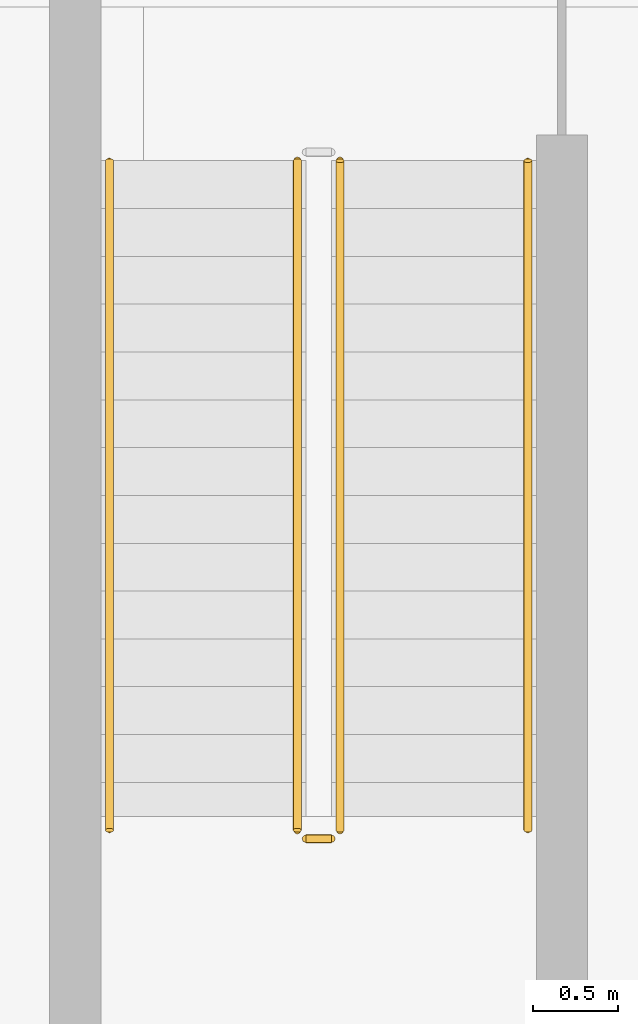
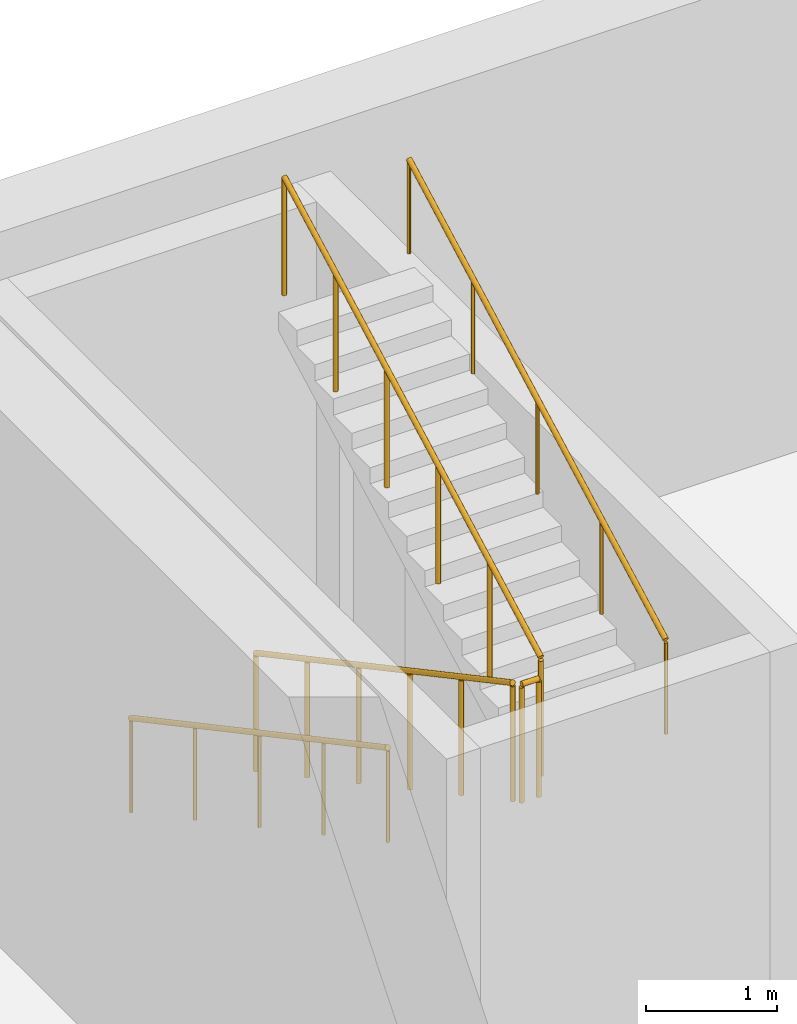
# One storey, part 19 of 23: 5 railings.
"""IFC4 building model written with IfcOpenShell, lengths in metres."""

from ifc_helpers import new_model, si_unit, direction, frame, origin, origin_2d, place, context, subcontext, project, spatial, circle, extrude, material, type_object, element, save


model = new_model("IFC4")

# Units and contexts
model_context = context("Model", 3, precision=1e-05, world=origin(), true_north=direction((0.0, 1.0)))
body_context = subcontext(model_context, "Body", "Model", "MODEL_VIEW")
ifc_project = project(units=[si_unit("LENGTHUNIT", "METRE"), si_unit("AREAUNIT", "SQUARE_METRE"), si_unit("VOLUMEUNIT", "CUBIC_METRE"), si_unit("PLANEANGLEUNIT", "RADIAN"), si_unit("MASSUNIT", "GRAM", prefix="KILO")], contexts=[model_context])

# Site, building, storey
site_placement = place(None, origin())
site = spatial("IfcSite", under=ifc_project, at=site_placement, CompositionType="ELEMENT")
building_placement = place(site_placement, origin())
building = spatial("IfcBuilding", under=site, at=building_placement, Name="Trine Commons Tower", CompositionType="ELEMENT")
storey_placement = place(building_placement, frame((0.0, 0.0, -9.0)))
storey = spatial("IfcBuildingStorey", under=building, at=storey_placement, Name="B2", CompositionType="ELEMENT", Elevation=-9.0)

# Railings
ifc_material = material(Name="Structural steel ASTM A500 Gr C", Category="steel")
railing_type_1 = type_object("IfcRailingType", Name="Steel guard 1120 mm, ASTM A500 Gr C", PredefinedType="GUARDRAIL", material=ifc_material)
railing_1_placement = place(storey_placement, frame((23.60009765625, 102.10009765625, 0.14990234375)))
element("IfcRailing", 1, at=railing_1_placement, inside=storey, type_object=railing_type_1, Name="B2 STB3 stair guard 1", PredefinedType="GUARDRAIL", context=body_context, shape_type="SweptSolid", body=[
    extrude(circle(Radius=0.02392578125, at=origin_2d()), frame((0.0, 0.0, 1.09619140625), z_axis=(0.0, -0.881479153919, 0.472222935917), x_axis=(1.0, 0.0, 0.0)), (0.0, 0.0, 1.0), 4.447265625),
    extrude(circle(Radius=0.02099609375, at=origin_2d()), origin(), (0.0, 0.0, 1.0), 1.072021484375),
    extrude(circle(Radius=0.02099609375, at=origin_2d()), frame((0.0, -0.783935546875, 0.419921875)), (0.0, 0.0, 1.0), 1.072021484375),
    extrude(circle(Radius=0.02099609375, at=origin_2d()), frame((0.0, -1.568115234375, 0.840087890625)), (0.0, 0.0, 1.0), 1.072021484375),
    extrude(circle(Radius=0.02099609375, at=origin_2d()), frame((0.0, -2.35205078125, 1.260009765625)), (0.0, 0.0, 1.0), 1.072021484375),
    extrude(circle(Radius=0.02099609375, at=origin_2d()), frame((0.0, -3.13623046875, 1.68017578125)), (0.0, 0.0, 1.0), 1.072021484375),
    extrude(circle(Radius=0.02099609375, at=origin_2d()), frame((0.0, -3.920166015625, 2.10009765625)), (0.0, 0.0, 1.0), 1.072021484375),
])
railing_2_placement = place(storey_placement, frame((23.64990234375, 98.1298828125, 2.25)))
element("IfcRailing", 2, at=railing_2_placement, inside=storey, type_object=railing_type_1, Name="B2 STB3 stair guard 2", PredefinedType="GUARDRAIL", context=body_context, shape_type="SweptSolid", body=[
    extrude(circle(Radius=0.02392578125, at=origin_2d()), frame((0.0, 0.0, 1.09619140625), z_axis=(1.0, 0.0, 0.0), x_axis=(0.0, 1.0, 0.0)), (0.0, 0.0, 1.0), 0.150146484375),
    extrude(circle(Radius=0.02099609375, at=origin_2d()), origin(), (0.0, 0.0, 1.0), 1.072021484375),
    extrude(circle(Radius=0.02099609375, at=origin_2d()), frame((0.150146484375, 0.0, 0.0)), (0.0, 0.0, 1.0), 1.072021484375),
])
railing_3_placement = place(storey_placement, frame((23.85009765625, 98.179931640625, 2.39990234375)))
element("IfcRailing", 3, at=railing_3_placement, inside=storey, type_object=railing_type_1, Name="B2 STB3 stair guard 3", PredefinedType="GUARDRAIL", context=body_context, shape_type="SweptSolid", body=[
    extrude(circle(Radius=0.02392578125, at=origin_2d()), frame((0.0, 0.0, 1.09619140625), z_axis=(0.0, 0.881479153919, 0.472222935917), x_axis=(-1.0, 0.0, 0.0)), (0.0, 0.0, 1.0), 4.447265625),
    extrude(circle(Radius=0.02099609375, at=origin_2d()), origin(), (0.0, 0.0, 1.0), 1.072021484375),
    extrude(circle(Radius=0.02099609375, at=origin_2d()), frame((0.0, 0.783935546875, 0.419921875)), (0.0, 0.0, 1.0), 1.072021484375),
    extrude(circle(Radius=0.02099609375, at=origin_2d()), frame((0.0, 1.568115234375, 0.840087890625)), (0.0, 0.0, 1.0), 1.072021484375),
    extrude(circle(Radius=0.02099609375, at=origin_2d()), frame((0.0, 2.35205078125, 1.260009765625)), (0.0, 0.0, 1.0), 1.072021484375),
    extrude(circle(Radius=0.02099609375, at=origin_2d()), frame((0.0, 3.13623046875, 1.68017578125)), (0.0, 0.0, 1.0), 1.072021484375),
    extrude(circle(Radius=0.02099609375, at=origin_2d()), frame((0.0, 3.920166015625, 2.10009765625)), (0.0, 0.0, 1.0), 1.072021484375),
])
railing_type_2 = type_object("IfcRailingType", Name="Steel handrail 900 mm, ASTM A500 Gr C", PredefinedType="HANDRAIL", material=ifc_material)
railing_4_placement = place(storey_placement, frame((22.5, 102.10009765625, 0.14990234375)))
element("IfcRailing", 4, at=railing_4_placement, inside=storey, type_object=railing_type_2, Name="B2 STB3 stair handrail 1", PredefinedType="HANDRAIL", context=body_context, shape_type="SweptSolid", body=[
    extrude(circle(Radius=0.02392578125, at=origin_2d()), frame((0.0, 0.0, 0.8759765625), z_axis=(0.0, -0.881479153919, 0.472222935917), x_axis=(1.0, 0.0, 0.0)), (0.0, 0.0, 1.0), 4.447265625),
    extrude(circle(Radius=0.01513671875, at=origin_2d()), origin(), (0.0, 0.0, 1.0), 0.851806640625),
    extrude(circle(Radius=0.01513671875, at=origin_2d()), frame((0.0, -0.97998046875, 0.52490234375)), (0.0, 0.0, 1.0), 0.851806640625),
    extrude(circle(Radius=0.01513671875, at=origin_2d()), frame((0.0, -1.9599609375, 1.050048828125)), (0.0, 0.0, 1.0), 0.851806640625),
    extrude(circle(Radius=0.01513671875, at=origin_2d()), frame((0.0, -2.940185546875, 1.5751953125)), (0.0, 0.0, 1.0), 0.851806640625),
    extrude(circle(Radius=0.01513671875, at=origin_2d()), frame((0.0, -3.920166015625, 2.10009765625)), (0.0, 0.0, 1.0), 0.851806640625),
])
railing_5_placement = place(storey_placement, frame((24.949951171875, 98.179931640625, 2.39990234375)))
element("IfcRailing", 5, at=railing_5_placement, inside=storey, type_object=railing_type_2, Name="B2 STB3 stair handrail 2", PredefinedType="HANDRAIL", context=body_context, shape_type="SweptSolid", body=[
    extrude(circle(Radius=0.02392578125, at=origin_2d()), frame((0.0, 0.0, 0.8759765625), z_axis=(0.0, 0.881479153919, 0.472222935917), x_axis=(-1.0, 0.0, 0.0)), (0.0, 0.0, 1.0), 4.447265625),
    extrude(circle(Radius=0.01513671875, at=origin_2d()), origin(), (0.0, 0.0, 1.0), 0.851806640625),
    extrude(circle(Radius=0.01513671875, at=origin_2d()), frame((0.0, 0.97998046875, 0.52490234375)), (0.0, 0.0, 1.0), 0.851806640625),
    extrude(circle(Radius=0.01513671875, at=origin_2d()), frame((0.0, 1.9599609375, 1.050048828125)), (0.0, 0.0, 1.0), 0.851806640625),
    extrude(circle(Radius=0.01513671875, at=origin_2d()), frame((0.0, 2.940185546875, 1.5751953125)), (0.0, 0.0, 1.0), 0.851806640625),
    extrude(circle(Radius=0.01513671875, at=origin_2d()), frame((0.0, 3.920166015625, 2.10009765625)), (0.0, 0.0, 1.0), 0.851806640625),
])

save(model, "model.ifc")
